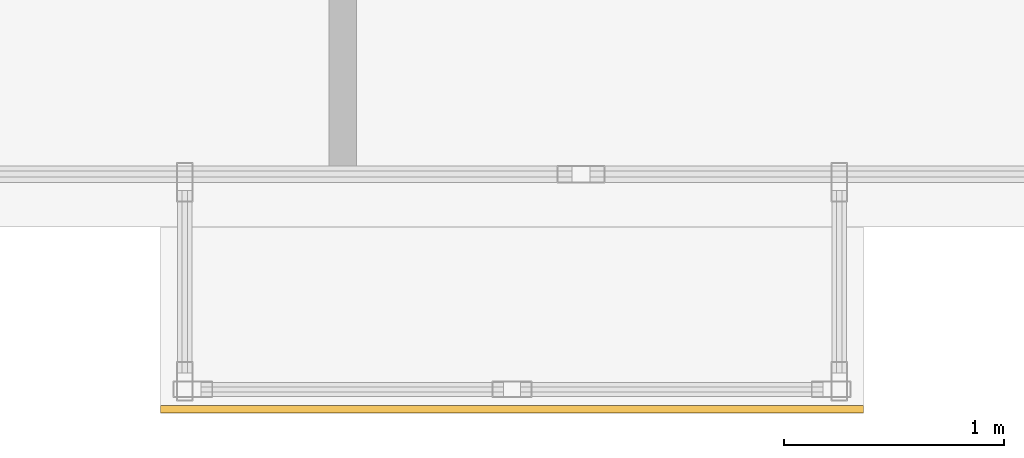
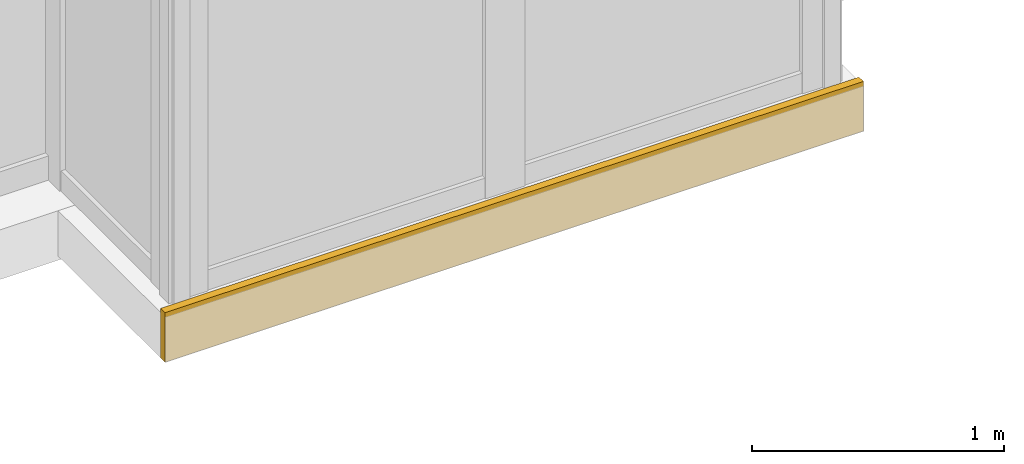
# One storey, part 25 of 26: 1 covering.
"""IFC4 building model written with IfcOpenShell, lengths in metres."""

from ifc_helpers import new_model, si_unit, direction, frame, origin, origin_2d, place, context, subcontext, project, spatial, rectangle, extrude, material, layer, layer_set, type_object, element, save


model = new_model("IFC4")

# Units and contexts
model_context = context("Model", 3, precision=1e-05, world=origin(), true_north=direction((0.0, 1.0)))
body_context = subcontext(model_context, "Body", "Model", "MODEL_VIEW")
ifc_project = project(units=[si_unit("LENGTHUNIT", "METRE"), si_unit("AREAUNIT", "SQUARE_METRE"), si_unit("VOLUMEUNIT", "CUBIC_METRE"), si_unit("PLANEANGLEUNIT", "RADIAN"), si_unit("MASSUNIT", "GRAM", prefix="KILO")], contexts=[model_context])

# Site, building, storey
site_placement = place(None, origin())
site = spatial("IfcSite", under=ifc_project, at=site_placement, CompositionType="ELEMENT")
building_placement = place(site_placement, origin())
building = spatial("IfcBuilding", under=site, at=building_placement, Name="Kolvaren Waterfront Exchange", CompositionType="ELEMENT")
storey_placement = place(building_placement, frame((0.0, 0.0, 195.60009765625)))
storey = spatial("IfcBuildingStorey", under=building, at=storey_placement, Name="L50", CompositionType="ELEMENT", Elevation=195.60009765625)

# Covering
ifc_material = material(Name="Anodised bronze fascia aluminium", Category="aluminium")
ifc_layer = layer(ifc_material, 0.034912109375, Name="Anodised bronze fascia aluminium")
ifc_layer_set = layer_set([ifc_layer], Name="Anodised bronze fascia aluminium")
covering_type = type_object("IfcCoveringType", Name="ARC-CLAD-BRONZE-35", PredefinedType="CLADDING", material=ifc_layer_set)
covering_placement = place(storey_placement, frame((40.5, 2.77001953125, -0.22021484375), z_axis=(0.0, 0.0, 1.0), x_axis=(1.0, 0.0, 0.0)))
element("IfcCovering", 1, at=covering_placement, inside=storey, type_object=covering_type, Name="L50 ribbed anodised bronze bay-box fascia", PredefinedType="CLADDING", context=body_context, shape_type="SweptSolid", body=[
    extrude(rectangle(XDim=3.199951171875, YDim=0.034912109375, at=origin_2d()), origin(), (0.0, 0.0, 1.0), 0.239990234375),
])

save(model, "model.ifc")
